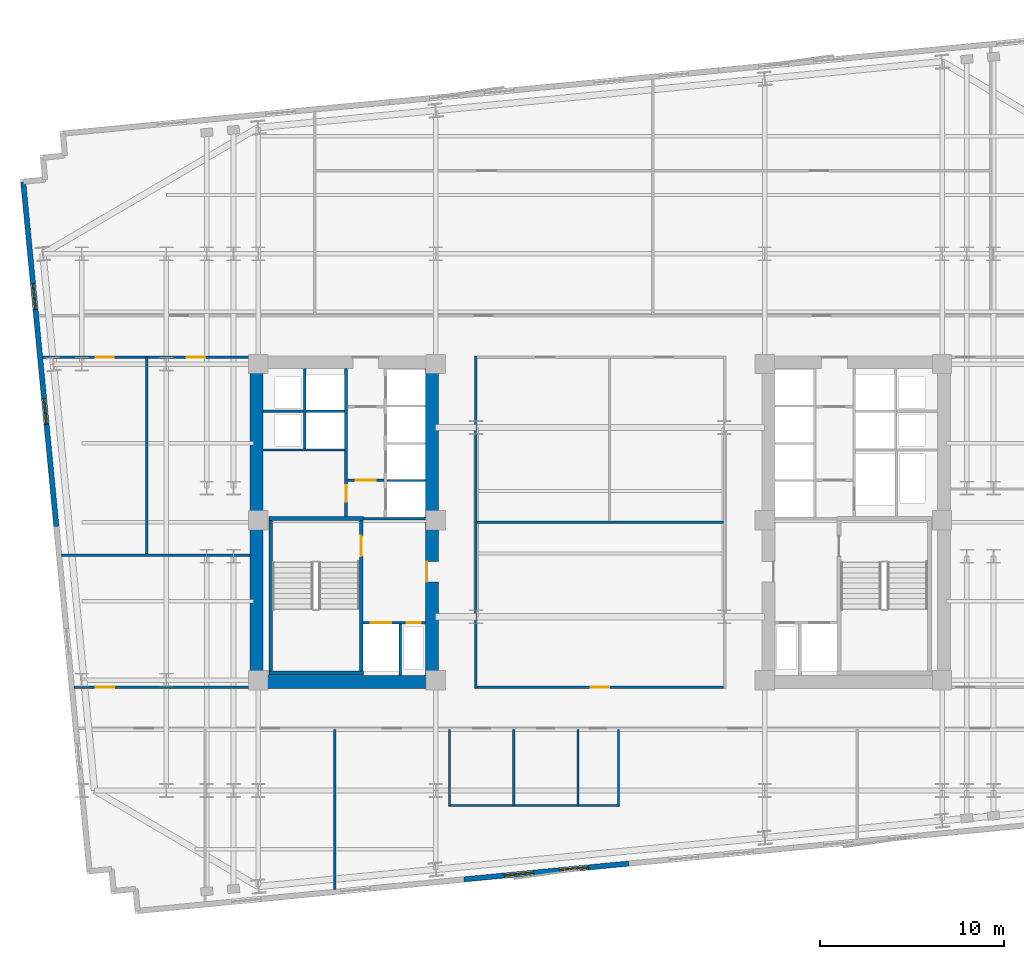
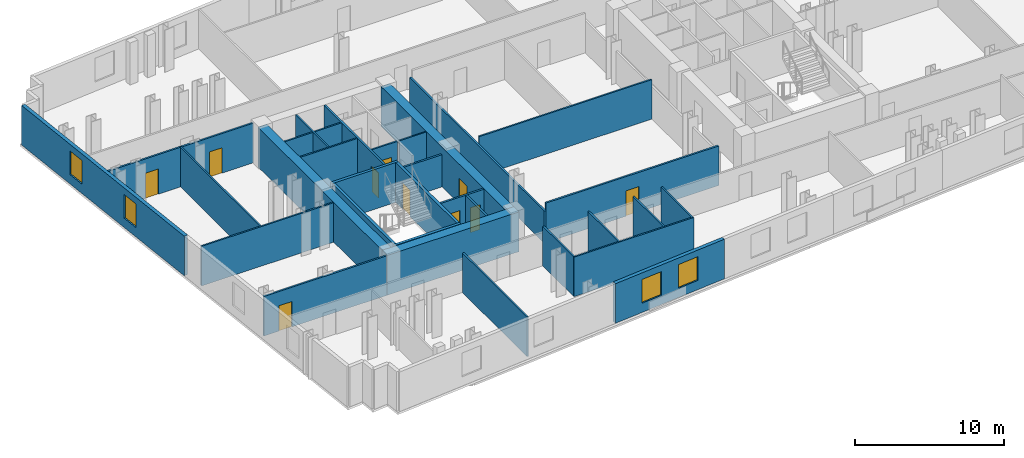
# One storey, part 4 of 10: 32 walls, 10 doors, 4 windows, 14 openings.
"""IFC4 building model written with IfcOpenShell, lengths in metres."""

from ifc_helpers import new_model, si_unit, direction, frame, frame_2d, origin, place, context, subcontext, project, spatial, rectangle, extrude, material, layer, layer_set, type_object, element, fill, save


model = new_model("IFC4")

# Units and contexts
model_context = context("Model", 3, precision=1e-05, world=origin(), true_north=direction((0.0, 1.0)))
body_context = subcontext(model_context, "Body", "Model", "MODEL_VIEW")
ifc_project = project(units=[si_unit("LENGTHUNIT", "METRE"), si_unit("AREAUNIT", "SQUARE_METRE"), si_unit("VOLUMEUNIT", "CUBIC_METRE"), si_unit("PLANEANGLEUNIT", "RADIAN"), si_unit("MASSUNIT", "GRAM", prefix="KILO")], contexts=[model_context])

# Site, building, storey
site_placement = place(None, origin())
site = spatial("IfcSite", under=ifc_project, at=site_placement, CompositionType="ELEMENT")
building_placement = place(site_placement, origin())
building = spatial("IfcBuilding", under=site, at=building_placement, Name="Velakula Bourse", CompositionType="ELEMENT")
storey_placement = place(building_placement, frame((0.0, 0.0, 98.35009765625)))
storey = spatial("IfcBuildingStorey", under=building, at=storey_placement, Name="L26", CompositionType="ELEMENT", Elevation=98.35009765625)

# Wall, opening, door
ifc_material_1 = material(Name="Concrete M50 (fck 50 MPa)", Category="concrete")
ifc_layer_1 = layer(ifc_material_1, 0.2099609375, Name="Concrete M50 (fck 50 MPa)", Category="concrete")
ifc_layer_set_1 = layer_set([ifc_layer_1], Name="Concrete M50 (fck 50 MPa)")
wall_type_1 = type_object("IfcWallType", Name="WL-CORE-210", PredefinedType="SHEAR", material=ifc_layer_set_1)
wall_1_placement = place(storey_placement, frame((-12.9951171875, -8.10009765625, 0.0), z_axis=(0.0, 0.0, 1.0), x_axis=(0.0, 1.0, 0.0)))
wall_1 = element("IfcWall", 1, at=wall_1_placement, inside=storey, type_object=wall_type_1, Name="L26 Core W Stairwell Shear Wall IN", PredefinedType="SHEAR", context=body_context, shape_type="SweptSolid", body=[
    extrude(rectangle(XDim=8.2001953125, YDim=0.2099609375, at=frame_2d((4.10009765625, 0.0))), origin(), (0.0, 0.0, 1.0), 3.27001953125),
])
opening_1_placement = place(wall_1_placement, frame((6.25, 0.0, 0.0)))
opening_1 = element("IfcOpeningElement", 2, at=opening_1_placement, cuts=wall_1, Name="Opening D-STW1", PredefinedType="OPENING", context=body_context, shape_type="SweptSolid", body=[
    extrude(rectangle(XDim=1.10009765625, YDim=2.14990234375, at=frame_2d((0.550048828125, 1.074951171875))), frame((0.0, 0.114990234375, 0.0), z_axis=(0.0, -1.0, 0.0), x_axis=(1.0, 0.0, 0.0)), (0.0, 0.0, 1.0), 0.22998046875),
])
ifc_material_2 = material(Name="Galvanised painted hollow steel fire door", Category="steel")
door_type_1 = type_object("IfcDoorType", Name="DR-FD120-1100x2150", OperationType="NOTDEFINED", PredefinedType="DOOR", material=ifc_material_2)
door_1_placement = place(opening_1_placement, origin())
door_1 = element("IfcDoor", 3, at=door_1_placement, inside=storey, type_object=door_type_1, Name="L26 Stair ST-W1 Fire Door", OperationType="SINGLE_SWING_LEFT", OverallHeight=2.14990234375, OverallWidth=1.10009765625, PredefinedType="DOOR", context=body_context, shape_type="SweptSolid", body=[
    extrude(rectangle(XDim=1.10009765625, YDim=2.14990234375, at=frame_2d((0.550048828125, 1.074951171875))), frame((0.0, 0.02490234375, 0.0), z_axis=(0.0, -1.0, 0.0), x_axis=(1.0, 0.0, 0.0)), (0.0, 0.0, 1.0), 0.050048828125),
])
fill(opening_1, door_1)

# Walls
wall_2_placement = place(storey_placement, frame((-17.925048828125, -8.10009765625, 0.0), z_axis=(0.0, 0.0, 1.0), x_axis=(0.0, 1.0, 0.0)))
element("IfcWall", 4, at=wall_2_placement, inside=storey, type_object=wall_type_1, Name="L26 Core W Stairwell Shear Wall OUT", PredefinedType="SHEAR", context=body_context, shape_type="SweptSolid", body=[
    extrude(rectangle(XDim=8.2001953125, YDim=0.2099609375, at=frame_2d((4.10009765625, 0.0))), origin(), (0.0, 0.0, 1.0), 3.27001953125),
])
for number, where, z_axis, x_axis, name in (
    (5, (-18.030029296875, -8.205078125, 0.0), (0.0, 0.0, 1.0), (1.0, 0.0, 0.0), "L26 Core W Stairwell Shear Wall S"),
    (6, (-12.889892578125, 0.205078125, 0.0), (0.0, 0.0, 1.0), (-1.0, 0.0, 0.0), "L26 Core W Stairwell Shear Wall N"),
):
    element("IfcWall", number, at=place(storey_placement, frame(where, z_axis=z_axis, x_axis=x_axis)), inside=storey, type_object=wall_type_1, Name=name, PredefinedType="SHEAR", context=body_context, shape_type="SweptSolid", body=[
        extrude(rectangle(XDim=5.14013671875, YDim=0.2099609375, at=frame_2d((2.570068359375, 0.0))), origin(), (0.0, 0.0, 1.0), 3.27001953125),
    ])
ifc_material_3 = material(Name="Concrete M70 (fck 70 MPa)", Category="concrete")
ifc_layer_2 = layer(ifc_material_3, 0.699951171875, Name="Concrete M70 (fck 70 MPa)", Category="concrete")
ifc_layer_set_2 = layer_set([ifc_layer_2], Name="Concrete M70 (fck 70 MPa)")
wall_type_2 = type_object("IfcWallType", Name="WL-CORE-700", PredefinedType="SHEAR", material=ifc_layer_set_2)
wall_3_placement = place(storey_placement, frame((-19.050048828125, -8.699951171875, 0.0), z_axis=(0.0, 0.0, 1.0), x_axis=(1.0, 0.0, 0.0)))
element("IfcWall", 7, at=wall_3_placement, inside=storey, type_object=wall_type_2, Name="L26 Core W Shear Wall S", PredefinedType="SHEAR", context=body_context, shape_type="SweptSolid", body=[
    extrude(rectangle(XDim=10.25, YDim=0.699951171875, at=frame_2d((5.125, 0.0))), origin(), (0.0, 0.0, 1.0), 3.27001953125),
])
wall_4_placement = place(storey_placement, frame((-18.699951171875, -8.35009765625, 0.0), z_axis=(0.0, 0.0, 1.0), x_axis=(0.0, 1.0, 0.0)))
element("IfcWall", 8, at=wall_4_placement, inside=storey, type_object=wall_type_2, Name="L26 Core W Shear Wall W", PredefinedType="SHEAR", context=body_context, shape_type="SweptSolid", body=[
    extrude(rectangle(XDim=16.7001953125, YDim=0.699951171875, at=frame_2d((8.35009765625, 0.0))), origin(), (0.0, 0.0, 1.0), 3.27001953125),
])

# Wall, opening, door
wall_5_placement = place(storey_placement, frame((-9.14990234375, -8.35009765625, 0.0), z_axis=(0.0, 0.0, 1.0), x_axis=(0.0, 1.0, 0.0)))
wall_5 = element("IfcWall", 9, at=wall_5_placement, inside=storey, type_object=wall_type_2, Name="L26 Core W Shear Wall E", PredefinedType="SHEAR", context=body_context, shape_type="SweptSolid", body=[
    extrude(rectangle(XDim=16.7001953125, YDim=0.699951171875, at=frame_2d((8.35009765625, 0.0))), origin(), (0.0, 0.0, 1.0), 3.27001953125),
])
opening_2_placement = place(wall_5_placement, frame((5.10009765625, 0.0, 0.0)))
opening_2 = element("IfcOpeningElement", 10, at=opening_2_placement, cuts=wall_5, Name="Opening D-FLW", PredefinedType="OPENING", context=body_context, shape_type="SweptSolid", body=[
    extrude(rectangle(XDim=1.10009765625, YDim=2.080078125, at=frame_2d((0.550048828125, 1.0400390625))), frame((0.0, 0.35986328125, 0.0), z_axis=(0.0, -1.0, 0.0), x_axis=(1.0, 0.0, 0.0)), (0.0, 0.0, 1.0), 0.719970703125),
])
door_type_2 = type_object("IfcDoorType", Name="DR-FD120-1100", OperationType="NOTDEFINED", PredefinedType="DOOR", material=ifc_material_2)
door_2_placement = place(opening_2_placement, origin())
door_2 = element("IfcDoor", 11, at=door_2_placement, inside=storey, type_object=door_type_2, Name="L26 Firefighting Lobby W Corridor Fire Door", OperationType="SINGLE_SWING_LEFT", OverallHeight=2.080078125, OverallWidth=1.10009765625, PredefinedType="DOOR", context=body_context, shape_type="SweptSolid", body=[
    extrude(rectangle(XDim=1.10009765625, YDim=2.080078125, at=frame_2d((0.550048828125, 1.0400390625))), frame((0.0, 0.30517578125, 0.0), z_axis=(0.0, -1.0, 0.0), x_axis=(1.0, 0.0, 0.0)), (0.0, 0.0, 1.0), 0.050048828125),
])
fill(opening_2, door_2)

# Wall, openings, windows
ifc_material_4 = material(Name="Red kilned clay facing brick masonry", Category="masonry")
ifc_layer_3 = layer(ifc_material_4, 0.280029296875, Name="Red kilned clay facing brick masonry", Category="masonry")
ifc_layer_set_3 = layer_set([ifc_layer_3], Name="Red kilned clay facing brick masonry")
wall_type_3 = type_object("IfcWallType", Name="WL-EXT-BRK-280", PredefinedType="STANDARD", material=ifc_layer_set_3)
wall_6_placement = place(storey_placement, frame((1.556396484375, -18.573486328125, 0.0), z_axis=(0.0, 0.0, 1.0), x_axis=(-0.995396794462, -0.09583956164, 0.0)))
wall_6 = element("IfcWall", 12, at=wall_6_placement, inside=storey, type_object=wall_type_3, Name="L26 S Brick Spandrel Wall B2", PredefinedType="STANDARD", context=body_context, shape_type="SweptSolid", body=[
    extrude(rectangle(XDim=9.0, YDim=0.280029296875, at=frame_2d((4.5, 0.0))), origin(), (0.0, 0.0, 1.0), 3.25),
])
opening_3_placement = place(wall_6_placement, frame((2.199951171875, 0.0, 0.760009765625)))
opening_3 = element("IfcOpeningElement", 13, at=opening_3_placement, cuts=wall_6, Name="Opening W-02", PredefinedType="OPENING", context=body_context, shape_type="SweptSolid", body=[
    extrude(rectangle(XDim=1.60009765625, YDim=1.949951171875, at=frame_2d((0.800048828125, 0.97509765625))), frame((0.0, 0.14990234375, 0.0), z_axis=(0.0, -1.0, 0.0), x_axis=(1.0, 0.0, 0.0)), (0.0, 0.0, 1.0), 0.300048828125),
])
opening_4_placement = place(wall_6_placement, frame((5.199951171875, 0.0, 0.760009765625)))
opening_4 = element("IfcOpeningElement", 14, at=opening_4_placement, cuts=wall_6, Name="Opening W-02", PredefinedType="OPENING", context=body_context, shape_type="SweptSolid", body=[
    extrude(rectangle(XDim=1.60009765625, YDim=1.949951171875, at=frame_2d((0.800048828125, 0.97509765625))), frame((0.0, 0.14990234375, 0.0), z_axis=(0.0, -1.0, 0.0), x_axis=(1.0, 0.0, 0.0)), (0.0, 0.0, 1.0), 0.300048828125),
])
ifc_material_5 = material(Name="Double-glazed solar-control Low-E glass", Category="glass")
window_type_1 = type_object("IfcWindowType", Name="WIN-TWR-1600x2100", PartitioningType="SINGLE_PANEL", PredefinedType="WINDOW", material=ifc_material_5)
window_1_placement = place(opening_3_placement, origin())
window_1 = element("IfcWindow", 15, at=window_1_placement, inside=storey, type_object=window_type_1, Name="L26 Deep-Set Recessed Window 1", OverallHeight=1.949951171875, OverallWidth=1.60009765625, PartitioningType="SINGLE_PANEL", PredefinedType="WINDOW", context=body_context, shape_type="SweptSolid", body=[
    extrude(rectangle(XDim=1.60009765625, YDim=1.949951171875, at=frame_2d((0.800048828125, 0.97509765625))), frame((0.0, 0.030029296875, 0.0), z_axis=(0.0, -1.0, 0.0), x_axis=(1.0, 0.0, 0.0)), (0.0, 0.0, 1.0), 0.06005859375),
])
fill(opening_3, window_1)
window_2_placement = place(opening_4_placement, origin())
window_2 = element("IfcWindow", 16, at=window_2_placement, inside=storey, type_object=window_type_1, Name="L26 Deep-Set Recessed Window 2", OverallHeight=1.949951171875, OverallWidth=1.60009765625, PartitioningType="SINGLE_PANEL", PredefinedType="WINDOW", context=body_context, shape_type="SweptSolid", body=[
    extrude(rectangle(XDim=1.60009765625, YDim=1.949951171875, at=frame_2d((0.800048828125, 0.97509765625))), frame((0.0, 0.030029296875, 0.0), z_axis=(0.0, -1.0, 0.0), x_axis=(1.0, 0.0, 0.0)), (0.0, 0.0, 1.0), 0.06005859375),
])
fill(opening_4, window_2)

wall_7_placement = place(storey_placement, frame((-29.584716796875, -0.23388671875, 0.0), z_axis=(0.0, 0.0, 1.0), x_axis=(-0.095841297881, 0.99539662729, 0.0)))
wall_7 = element("IfcWall", 17, at=wall_7_placement, inside=storey, type_object=wall_type_3, Name="L26 W Brick End Wall W2", PredefinedType="STANDARD", context=body_context, shape_type="SweptSolid", body=[
    extrude(rectangle(XDim=18.840087890625, YDim=0.280029296875, at=frame_2d((9.419921875, 0.0))), origin(), (0.0, 0.0, 1.0), 3.25),
])
opening_5_placement = place(wall_7_placement, frame((5.580078125, 0.0, 0.760009765625)))
opening_5 = element("IfcOpeningElement", 18, at=opening_5_placement, cuts=wall_7, Name="Opening W-03", PredefinedType="OPENING", context=body_context, shape_type="SweptSolid", body=[
    extrude(rectangle(XDim=1.39990234375, YDim=1.949951171875, at=frame_2d((0.699951171875, 0.97509765625))), frame((0.0, 0.14990234375, 0.0), z_axis=(0.0, -1.0, 0.0), x_axis=(1.0, 0.0, 0.0)), (0.0, 0.0, 1.0), 0.300048828125),
])
opening_6_placement = place(wall_7_placement, frame((11.860107421875, 0.0, 0.760009765625)))
opening_6 = element("IfcOpeningElement", 19, at=opening_6_placement, cuts=wall_7, Name="Opening W-03", PredefinedType="OPENING", context=body_context, shape_type="SweptSolid", body=[
    extrude(rectangle(XDim=1.39990234375, YDim=1.949951171875, at=frame_2d((0.699951171875, 0.97509765625))), frame((0.0, 0.14990234375, 0.0), z_axis=(0.0, -1.0, 0.0), x_axis=(1.0, 0.0, 0.0)), (0.0, 0.0, 1.0), 0.300048828125),
])
window_type_2 = type_object("IfcWindowType", Name="WIN-TWR-1400x2100", PartitioningType="SINGLE_PANEL", PredefinedType="WINDOW", material=ifc_material_5)
window_3_placement = place(opening_5_placement, origin())
window_3 = element("IfcWindow", 20, at=window_3_placement, inside=storey, type_object=window_type_2, Name="L26 Deep-Set Recessed Window 1", OverallHeight=1.949951171875, OverallWidth=1.39990234375, PartitioningType="SINGLE_PANEL", PredefinedType="WINDOW", context=body_context, shape_type="SweptSolid", body=[
    extrude(rectangle(XDim=1.39990234375, YDim=1.949951171875, at=frame_2d((0.699951171875, 0.97509765625))), frame((0.0, 0.030029296875, 0.0), z_axis=(0.0, -1.0, 0.0), x_axis=(1.0, 0.0, 0.0)), (0.0, 0.0, 1.0), 0.06005859375),
])
fill(opening_5, window_3)
window_4_placement = place(opening_6_placement, origin())
window_4 = element("IfcWindow", 21, at=window_4_placement, inside=storey, type_object=window_type_2, Name="L26 Deep-Set Recessed Window 2", OverallHeight=1.949951171875, OverallWidth=1.39990234375, PartitioningType="SINGLE_PANEL", PredefinedType="WINDOW", context=body_context, shape_type="SweptSolid", body=[
    extrude(rectangle(XDim=1.39990234375, YDim=1.949951171875, at=frame_2d((0.699951171875, 0.97509765625))), frame((0.0, 0.030029296875, 0.0), z_axis=(0.0, -1.0, 0.0), x_axis=(1.0, 0.0, 0.0)), (0.0, 0.0, 1.0), 0.06005859375),
])
fill(opening_6, window_4)

# Wall, opening, door
ifc_material_6 = material(Name="Fire-rated double-layer gypsum drywall partition", Category="gypsum")
ifc_layer_4 = layer(ifc_material_6, 0.1201171875, Name="Fire-rated double-layer gypsum drywall partition", Category="gypsum")
ifc_layer_set_4 = layer_set([ifc_layer_4], Name="Fire-rated double-layer gypsum drywall partition")
wall_type_4 = type_object("IfcWallType", Name="WL-PART-120", PredefinedType="STANDARD", material=ifc_layer_set_4)
wall_8_placement = place(storey_placement, frame((-13.75, 2.280029296875, 0.0), z_axis=(0.0, 0.0, 1.0), x_axis=(1.0, 0.0, 0.0)))
wall_8 = element("IfcWall", 22, at=wall_8_placement, inside=storey, type_object=wall_type_4, Name="L26 Interior Partition WL-CRW-L26-LL-K3A", PredefinedType="STANDARD", context=body_context, shape_type="SweptSolid", body=[
    extrude(rectangle(XDim=2.0, YDim=0.1201171875, at=frame_2d((1.0, 0.0))), origin(), (0.0, 0.0, 1.0), 3.25),
])
opening_7_placement = place(wall_8_placement, frame((0.449951171875, 0.0, 0.0)))
opening_7 = element("IfcOpeningElement", 23, at=opening_7_placement, cuts=wall_8, Name="Opening D-LK3", PredefinedType="OPENING", context=body_context, shape_type="SweptSolid", body=[
    extrude(rectangle(XDim=1.10009765625, YDim=2.10009765625, at=frame_2d((0.550048828125, 1.050048828125))), frame((0.0, 0.070068359375, 0.0), z_axis=(0.0, -1.0, 0.0), x_axis=(1.0, 0.0, 0.0)), (0.0, 0.0, 1.0), 0.14013671875),
])
ifc_material_7 = material(Name="Fire-rated hardwood flush architectural door", Category="wood")
door_type_3 = type_object("IfcDoorType", Name="DR-FD60-1100x2100", OperationType="NOTDEFINED", PredefinedType="DOOR", material=ifc_material_7)
door_3_placement = place(opening_7_placement, origin())
door_3 = element("IfcDoor", 24, at=door_3_placement, inside=storey, type_object=door_type_3, Name="L26 Core W Lift Lobby Vestibule Door A", OperationType="SINGLE_SWING_RIGHT", OverallHeight=2.10009765625, OverallWidth=1.10009765625, PredefinedType="DOOR", context=body_context, shape_type="SweptSolid", body=[
    extrude(rectangle(XDim=1.10009765625, YDim=2.10009765625, at=frame_2d((0.550048828125, 1.050048828125))), frame((0.0, 0.02490234375, 0.0), z_axis=(0.0, -1.0, 0.0), x_axis=(1.0, 0.0, 0.0)), (0.0, 0.0, 1.0), 0.050048828125),
])
fill(opening_7, door_3)

# Walls
wall_9_placement = place(storey_placement, frame((-11.60009765625, 2.2548828125, 0.0), z_axis=(0.0, 0.0, 1.0), x_axis=(1.0, 0.0, 0.0)))
element("IfcWall", 25, at=wall_9_placement, inside=storey, type_object=wall_type_4, Name="L26 Interior Partition WL-CRW-L26-BDIV-0", PredefinedType="STANDARD", context=body_context, shape_type="SweptSolid", body=[
    extrude(rectangle(XDim=2.10009765625, YDim=0.110107421875, at=frame_2d((1.050048828125, 0.0))), origin(), (0.0, 0.0, 1.0), 3.25),
])
wall_10_placement = place(storey_placement, frame((-18.35009765625, 3.919921875, 0.0), z_axis=(0.0, 0.0, 1.0), x_axis=(1.0, 0.0, 0.0)))
element("IfcWall", 26, at=wall_10_placement, inside=storey, type_object=wall_type_4, Name="L26 Interior Partition WL-CRW-L26-HI-S", PredefinedType="STANDARD", context=body_context, shape_type="SweptSolid", body=[
    extrude(rectangle(XDim=4.4501953125, YDim=0.1201171875, at=frame_2d((2.22509765625, 0.0))), origin(), (0.0, 0.0, 1.0), 3.25),
])
wall_11_placement = place(storey_placement, frame((-18.35009765625, 6.030029296875, 0.0), z_axis=(0.0, 0.0, 1.0), x_axis=(1.0, 0.0, 0.0)))
element("IfcWall", 27, at=wall_11_placement, inside=storey, type_object=wall_type_4, Name="L26 Interior Partition WL-CRW-L26-RIS-MID", PredefinedType="STANDARD", context=body_context, shape_type="SweptSolid", body=[
    extrude(rectangle(XDim=2.2001953125, YDim=0.1201171875, at=frame_2d((1.10009765625, 0.0))), origin(), (0.0, 0.0, 1.0), 3.25),
])
wall_12_placement = place(storey_placement, frame((-16.074951171875, 3.97998046875, 0.0), z_axis=(0.0, 0.0, 1.0), x_axis=(0.0, 1.0, 0.0)))
element("IfcWall", 28, at=wall_12_placement, inside=storey, type_object=wall_type_4, Name="L26 Interior Partition WL-CRW-L26-RIS-F", PredefinedType="STANDARD", context=body_context, shape_type="SweptSolid", body=[
    extrude(rectangle(XDim=4.3701171875, YDim=0.1201171875, at=frame_2d((2.18505859375, 0.0))), origin(), (0.0, 0.0, 1.0), 3.25),
])
wall_13_placement = place(storey_placement, frame((-16.0, 6.030029296875, 0.0), z_axis=(0.0, 0.0, 1.0), x_axis=(1.0, 0.0, 0.0)))
element("IfcWall", 29, at=wall_13_placement, inside=storey, type_object=wall_type_4, Name="L26 Interior Partition WL-CRW-L26-HI-DIV", PredefinedType="STANDARD", context=body_context, shape_type="SweptSolid", body=[
    extrude(rectangle(XDim=2.10009765625, YDim=0.1201171875, at=frame_2d((1.050048828125, 0.0))), origin(), (0.0, 0.0, 1.0), 3.25),
])
wall_14_placement = place(storey_placement, frame((-8.260009765625, -15.419921875, 0.0), z_axis=(0.0, 0.0, 1.0), x_axis=(1.0, 0.0, 0.0)))
element("IfcWall", 30, at=wall_14_placement, inside=storey, type_object=wall_type_4, Name="L26 Interior Partition WL-WC-L26-BACK", PredefinedType="STANDARD", context=body_context, shape_type="SweptSolid", body=[
    extrude(rectangle(XDim=9.320068359375, YDim=0.1201171875, at=frame_2d((4.66015625, 0.0))), origin(), (0.0, 0.0, 1.0), 3.25),
])
for number, where, z_axis, x_axis, name in (
    (31, (-8.199951171875, -15.419921875, 0.0), (0.0, 0.0, 1.0), (0.0, 1.0, 0.0), "L26 Interior Partition WL-WC-L26-V1"),
    (32, (-4.699951171875, -15.419921875, 0.0), (0.0, 0.0, 1.0), (0.0, 1.0, 0.0), "L26 Interior Partition WL-WC-L26-V2"),
    (33, (-1.199951171875, -15.419921875, 0.0), (0.0, 0.0, 1.0), (0.0, 1.0, 0.0), "L26 Interior Partition WL-WC-L26-V3"),
    (34, (1.0, -15.419921875, 0.0), (0.0, 0.0, 1.0), (0.0, 1.0, 0.0), "L26 Interior Partition WL-WC-L26-V4"),
):
    element("IfcWall", number, at=place(storey_placement, frame(where, z_axis=z_axis, x_axis=x_axis)), inside=storey, type_object=wall_type_4, Name=name, PredefinedType="STANDARD", context=body_context, shape_type="SweptSolid", body=[
        extrude(rectangle(XDim=4.1298828125, YDim=0.1201171875, at=frame_2d((2.06494140625, 0.0))), origin(), (0.0, 0.0, 1.0), 3.25),
    ])
wall_15_placement = place(storey_placement, frame((-14.443115234375, -19.993408203125, 0.0), z_axis=(0.0, 0.0, 1.0), x_axis=(0.0, 1.0, 0.0)))
element("IfcWall", 35, at=wall_15_placement, inside=storey, type_object=wall_type_4, Name="L26 Interior Partition WL-INT-L26-SL-D6", PredefinedType="STANDARD", context=body_context, shape_type="SweptSolid", body=[
    extrude(rectangle(XDim=8.703369140625, YDim=0.1201171875, at=frame_2d((4.3515625, 0.0))), origin(), (0.0, 0.0, 1.0), 3.25),
])
wall_16_placement = place(storey_placement, frame((-29.313232421875, -1.800048828125, 0.0), z_axis=(0.0, 0.0, 1.0), x_axis=(1.0, 0.0, 0.0)))
element("IfcWall", 36, at=wall_16_placement, inside=storey, type_object=wall_type_4, Name="L26 Interior Partition WL-INT-L26-W-H", PredefinedType="STANDARD", context=body_context, shape_type="SweptSolid", body=[
    extrude(rectangle(XDim=10.26318359375, YDim=0.1201171875, at=frame_2d((5.131591796875, 0.0))), origin(), (0.0, 0.0, 1.0), 3.25),
])
wall_17_placement = place(storey_placement, frame((-24.6708984375, -1.739990234375, 0.0), z_axis=(0.0, 0.0, 1.0), x_axis=(0.0, 1.0, 0.0)))
element("IfcWall", 37, at=wall_17_placement, inside=storey, type_object=wall_type_4, Name="L26 Interior Partition WL-INT-L26-W-VN", PredefinedType="STANDARD", context=body_context, shape_type="SweptSolid", body=[
    extrude(rectangle(XDim=10.719970703125, YDim=0.1201171875, at=frame_2d((5.35986328125, 0.0))), origin(), (0.0, 0.0, 1.0), 3.25),
])

# Wall, openings, doors
ifc_layer_5 = layer(ifc_material_6, 0.139892578125, Name="Fire-rated double-layer gypsum drywall partition", Category="gypsum")
ifc_layer_set_5 = layer_set([ifc_layer_5], Name="Fire-rated double-layer gypsum drywall partition")
wall_type_5 = type_object("IfcWallType", Name="WL-PART-140", PredefinedType="STANDARD", material=ifc_layer_set_5)
wall_18_placement = place(storey_placement, frame((-30.351318359375, 8.97998046875, 0.0), z_axis=(0.0, 0.0, 1.0), x_axis=(1.0, 0.0, 0.0)))
wall_18 = element("IfcWall", 38, at=wall_18_placement, inside=storey, type_object=wall_type_5, Name="L26 Interior Partition WL-INT-L26-W-NC", PredefinedType="STANDARD", context=body_context, shape_type="SweptSolid", body=[
    extrude(rectangle(XDim=11.30126953125, YDim=0.139892578125, at=frame_2d((5.650634765625, 0.0))), origin(), (0.0, 0.0, 1.0), 3.25),
])
opening_8_placement = place(wall_18_placement, frame((2.900146484375, 0.0, 0.0)))
opening_8 = element("IfcOpeningElement", 39, at=opening_8_placement, cuts=wall_18, Name="Opening D-OF1", PredefinedType="OPENING", context=body_context, shape_type="SweptSolid", body=[
    extrude(rectangle(XDim=1.0, YDim=2.080078125, at=frame_2d((0.5, 1.0400390625))), frame((0.0, 0.079833984375, 0.0), z_axis=(0.0, -1.0, 0.0), x_axis=(1.0, 0.0, 0.0)), (0.0, 0.0, 1.0), 0.159912109375),
])
opening_9_placement = place(wall_18_placement, frame((7.86083984375, 0.0, 0.0)))
opening_9 = element("IfcOpeningElement", 40, at=opening_9_placement, cuts=wall_18, Name="Opening D-OF1", PredefinedType="OPENING", context=body_context, shape_type="SweptSolid", body=[
    extrude(rectangle(XDim=1.0, YDim=2.080078125, at=frame_2d((0.5, 1.0400390625))), frame((0.0, 0.079833984375, 0.0), z_axis=(0.0, -1.0, 0.0), x_axis=(1.0, 0.0, 0.0)), (0.0, 0.0, 1.0), 0.159912109375),
])
door_type_4 = type_object("IfcDoorType", Name="DR-OFF-1000", OperationType="NOTDEFINED", PredefinedType="DOOR", material=ifc_material_7)
door_4_placement = place(opening_8_placement, origin())
door_4 = element("IfcDoor", 41, at=door_4_placement, inside=storey, type_object=door_type_4, Name="L26 Compliance Review Office Door", OperationType="SINGLE_SWING_RIGHT", OverallHeight=2.080078125, OverallWidth=1.0, PredefinedType="DOOR", context=body_context, shape_type="SweptSolid", body=[
    extrude(rectangle(XDim=1.0, YDim=2.080078125, at=frame_2d((0.5, 1.0400390625))), frame((0.0, 0.02490234375, 0.0), z_axis=(0.0, -1.0, 0.0), x_axis=(1.0, 0.0, 0.0)), (0.0, 0.0, 1.0), 0.050048828125),
])
fill(opening_8, door_4)
door_5_placement = place(opening_9_placement, origin())
door_5 = element("IfcDoor", 42, at=door_5_placement, inside=storey, type_object=door_type_4, Name="L26 Risk Review Boardroom Door", OperationType="SINGLE_SWING_LEFT", OverallHeight=2.080078125, OverallWidth=1.0, PredefinedType="DOOR", context=body_context, shape_type="SweptSolid", body=[
    extrude(rectangle(XDim=1.0, YDim=2.080078125, at=frame_2d((0.5, 1.0400390625))), frame((0.0, 0.02490234375, 0.0), z_axis=(0.0, -1.0, 0.0), x_axis=(1.0, 0.0, 0.0)), (0.0, 0.0, 1.0), 0.050048828125),
])
fill(opening_9, door_5)

# Wall, opening, door
wall_19_placement = place(storey_placement, frame((-28.6220703125, -8.97998046875, 0.0), z_axis=(0.0, 0.0, 1.0), x_axis=(1.0, 0.0, 0.0)))
wall_19 = element("IfcWall", 43, at=wall_19_placement, inside=storey, type_object=wall_type_5, Name="L26 Interior Partition WL-INT-L26-W-SC", PredefinedType="STANDARD", context=body_context, shape_type="SweptSolid", body=[
    extrude(rectangle(XDim=9.572021484375, YDim=0.139892578125, at=frame_2d((4.7861328125, 0.0))), origin(), (0.0, 0.0, 1.0), 3.25),
])
opening_10_placement = place(wall_19_placement, frame((1.177490234375, 0.0, 0.0)))
opening_10 = element("IfcOpeningElement", 44, at=opening_10_placement, cuts=wall_19, Name="Opening D-OF1", PredefinedType="OPENING", context=body_context, shape_type="SweptSolid", body=[
    extrude(rectangle(XDim=1.0, YDim=2.080078125, at=frame_2d((0.5, 1.0400390625))), frame((0.0, 0.079833984375, 0.0), z_axis=(0.0, -1.0, 0.0), x_axis=(1.0, 0.0, 0.0)), (0.0, 0.0, 1.0), 0.159912109375),
])
door_6_placement = place(opening_10_placement, origin())
door_6 = element("IfcDoor", 45, at=door_6_placement, inside=storey, type_object=door_type_4, Name="L26 Compliance Review Office Door", OperationType="SINGLE_SWING_RIGHT", OverallHeight=2.080078125, OverallWidth=1.0, PredefinedType="DOOR", context=body_context, shape_type="SweptSolid", body=[
    extrude(rectangle(XDim=1.0, YDim=2.080078125, at=frame_2d((0.5, 1.0400390625))), frame((0.0, 0.02490234375, 0.0), z_axis=(0.0, -1.0, 0.0), x_axis=(1.0, 0.0, 0.0)), (0.0, 0.0, 1.0), 0.050048828125),
])
fill(opening_10, door_6)

# Wall
wall_20_placement = place(storey_placement, frame((-6.780029296875, -9.050048828125, 0.0), z_axis=(0.0, 0.0, 1.0), x_axis=(0.0, 1.0, 0.0)))
element("IfcWall", 46, at=wall_20_placement, inside=storey, type_object=wall_type_5, Name="L26 Interior Partition WL-INT-L26-MID-W", PredefinedType="STANDARD", context=body_context, shape_type="SweptSolid", body=[
    extrude(rectangle(XDim=18.10009765625, YDim=0.139892578125, at=frame_2d((9.050048828125, 0.0))), origin(), (0.0, 0.0, 1.0), 2.64501953125),
])

# Wall, opening, door
wall_21_placement = place(storey_placement, frame((-6.7099609375, -8.97998046875, 0.0), z_axis=(0.0, 0.0, 1.0), x_axis=(1.0, 0.0, 0.0)))
wall_21 = element("IfcWall", 47, at=wall_21_placement, inside=storey, type_object=wall_type_5, Name="L26 Interior Partition WL-INT-L26-MID-S", PredefinedType="STANDARD", context=body_context, shape_type="SweptSolid", body=[
    extrude(rectangle(XDim=13.419921875, YDim=0.139892578125, at=frame_2d((6.7099609375, 0.0))), origin(), (0.0, 0.0, 1.0), 3.25),
])
opening_11_placement = place(wall_21_placement, frame((6.2099609375, 0.0, 0.0)))
opening_11 = element("IfcOpeningElement", 48, at=opening_11_placement, cuts=wall_21, Name="Opening D-OF1", PredefinedType="OPENING", context=body_context, shape_type="SweptSolid", body=[
    extrude(rectangle(XDim=1.0, YDim=2.080078125, at=frame_2d((0.5, 1.0400390625))), frame((0.0, 0.079833984375, 0.0), z_axis=(0.0, -1.0, 0.0), x_axis=(1.0, 0.0, 0.0)), (0.0, 0.0, 1.0), 0.159912109375),
])
door_7_placement = place(opening_11_placement, origin())
door_7 = element("IfcDoor", 49, at=door_7_placement, inside=storey, type_object=door_type_4, Name="L26 Central Dealing Workspace Door", OperationType="SINGLE_SWING_RIGHT", OverallHeight=2.080078125, OverallWidth=1.0, PredefinedType="DOOR", context=body_context, shape_type="SweptSolid", body=[
    extrude(rectangle(XDim=1.0, YDim=2.080078125, at=frame_2d((0.5, 1.0400390625))), frame((0.0, 0.02490234375, 0.0), z_axis=(0.0, -1.0, 0.0), x_axis=(1.0, 0.0, 0.0)), (0.0, 0.0, 1.0), 0.050048828125),
])
fill(opening_11, door_7)

# Wall
wall_22_placement = place(storey_placement, frame((-6.7099609375, 0.0, 0.0), z_axis=(0.0, 0.0, 1.0), x_axis=(1.0, 0.0, 0.0)))
element("IfcWall", 50, at=wall_22_placement, inside=storey, type_object=wall_type_5, Name="L26 Interior Partition WL-INT-L26-MD3H", PredefinedType="STANDARD", context=body_context, shape_type="SweptSolid", body=[
    extrude(rectangle(XDim=13.419921875, YDim=0.1201171875, at=frame_2d((6.7099609375, 0.0))), origin(), (0.0, 0.0, 1.0), 3.25),
])

# Wall, openings, doors
ifc_material_8 = material(Name="Autoclaved aerated concrete blockwork masonry", Category="masonry")
ifc_layer_6 = layer(ifc_material_8, 0.14990234375, Name="Autoclaved aerated concrete blockwork masonry", Category="masonry")
ifc_layer_set_6 = layer_set([ifc_layer_6], Name="Autoclaved aerated concrete blockwork masonry")
wall_type_6 = type_object("IfcWallType", Name="WL-SHAFT-150", PredefinedType="STANDARD", material=ifc_layer_set_6)
wall_23_placement = place(storey_placement, frame((-12.89501953125, -5.47509765625, 0.0), z_axis=(0.0, 0.0, 1.0), x_axis=(1.0, 0.0, 0.0)))
wall_23 = element("IfcWall", 51, at=wall_23_placement, inside=storey, type_object=wall_type_6, Name="L26 Interior Partition WL-CRW-L26-FFL-N", PredefinedType="STANDARD", context=body_context, shape_type="SweptSolid", body=[
    extrude(rectangle(XDim=3.39501953125, YDim=0.14990234375, at=frame_2d((1.697509765625, 0.0))), origin(), (0.0, 0.0, 1.0), 3.25),
])
opening_12_placement = place(wall_23_placement, frame((0.419921875, 0.0, 0.0)))
opening_12 = element("IfcOpeningElement", 52, at=opening_12_placement, cuts=wall_23, Name="Opening LD-FFL-1", PredefinedType="OPENING", context=body_context, shape_type="SweptSolid", body=[
    extrude(rectangle(XDim=1.10009765625, YDim=2.14990234375, at=frame_2d((0.550048828125, 1.074951171875))), frame((0.0, 0.0849609375, 0.0), z_axis=(0.0, -1.0, 0.0), x_axis=(1.0, 0.0, 0.0)), (0.0, 0.0, 1.0), 0.169921875),
])
opening_13_placement = place(wall_23_placement, frame((2.3701171875, 0.0, 0.0)))
opening_13 = element("IfcOpeningElement", 53, at=opening_13_placement, cuts=wall_23, Name="Opening D-RS1", PredefinedType="OPENING", context=body_context, shape_type="SweptSolid", body=[
    extrude(rectangle(XDim=0.75, YDim=2.050048828125, at=frame_2d((0.375, 1.02490234375))), frame((0.0, 0.0849609375, 0.0), z_axis=(0.0, -1.0, 0.0), x_axis=(1.0, 0.0, 0.0)), (0.0, 0.0, 1.0), 0.169921875),
])
door_type_5 = type_object("IfcDoorType", Name="DR-RISER-800", OperationType="NOTDEFINED", PredefinedType="DOOR", material=ifc_material_2)
door_8_placement = place(opening_13_placement, origin())
door_8 = element("IfcDoor", 54, at=door_8_placement, inside=storey, type_object=door_type_5, Name="L26 Fire Riser Access Door", OperationType="SINGLE_SWING_LEFT", OverallHeight=2.050048828125, OverallWidth=0.75, PredefinedType="DOOR", context=body_context, shape_type="SweptSolid", body=[
    extrude(rectangle(XDim=0.75, YDim=2.050048828125, at=frame_2d((0.375, 1.02490234375))), frame((0.0, 0.02490234375, 0.0), z_axis=(0.0, -1.0, 0.0), x_axis=(1.0, 0.0, 0.0)), (0.0, 0.0, 1.0), 0.050048828125),
])
fill(opening_13, door_8)
ifc_material_9 = material(Name="Brushed grade 316 stainless steel", Category="steel")
door_type_6 = type_object("IfcDoorType", Name="DR-SLIDE-FFL-1100", OperationType="DOUBLE_DOOR_SLIDING", PredefinedType="DOOR", material=ifc_material_9)
door_9_placement = place(opening_12_placement, origin())
door_9 = element("IfcDoor", 55, at=door_9_placement, inside=storey, type_object=door_type_6, Name="L26 Firefighting Lift FFL-1 Sliding Landing Door", OperationType="DOUBLE_DOOR_SLIDING", OverallHeight=2.14990234375, OverallWidth=1.10009765625, PredefinedType="DOOR", context=body_context, shape_type="SweptSolid", body=[
    extrude(rectangle(XDim=1.10009765625, YDim=2.14990234375, at=frame_2d((0.550048828125, 1.074951171875))), frame((0.0, 0.02490234375, 0.0), z_axis=(0.0, -1.0, 0.0), x_axis=(1.0, 0.0, 0.0)), (0.0, 0.0, 1.0), 0.050048828125),
])
fill(opening_12, door_9)

# Walls
wall_24_placement = place(storey_placement, frame((-10.875, -8.35009765625, 0.0), z_axis=(0.0, 0.0, 1.0), x_axis=(0.0, 1.0, 0.0)))
element("IfcWall", 56, at=wall_24_placement, inside=storey, type_object=wall_type_6, Name="L26 Interior Partition WL-CRW-L26-FR-DIV", PredefinedType="STANDARD", context=body_context, shape_type="SweptSolid", body=[
    extrude(rectangle(XDim=2.800048828125, YDim=0.14990234375, at=frame_2d((1.39990234375, 0.0))), origin(), (0.0, 0.0, 1.0), 3.25),
])
wall_25_placement = place(storey_placement, frame((-12.889892578125, 0.18994140625, 0.0), z_axis=(0.0, 0.0, 1.0), x_axis=(1.0, 0.0, 0.0)))
element("IfcWall", 57, at=wall_25_placement, inside=storey, type_object=wall_type_6, Name="L26 Interior Partition WL-CRW-L26-FF-TOP", PredefinedType="STANDARD", context=body_context, shape_type="SweptSolid", body=[
    extrude(rectangle(XDim=3.389892578125, YDim=0.14990234375, at=frame_2d((1.69482421875, 0.0))), origin(), (0.0, 0.0, 1.0), 2.64501953125),
])

# Wall, opening, door
wall_26_placement = place(storey_placement, frame((-13.824951171875, 0.27001953125, 0.0), z_axis=(0.0, 0.0, 1.0), x_axis=(0.0, 1.0, 0.0)))
wall_26 = element("IfcWall", 58, at=wall_26_placement, inside=storey, type_object=wall_type_6, Name="L26 Interior Partition WL-CRW-L26-OUT-F", PredefinedType="STANDARD", context=body_context, shape_type="SweptSolid", body=[
    extrude(rectangle(XDim=8.080078125, YDim=0.14990234375, at=frame_2d((4.0400390625, 0.0))), origin(), (0.0, 0.0, 1.0), 3.25),
])
opening_14_placement = place(wall_26_placement, frame((0.85009765625, 0.0, 0.0)))
opening_14 = element("IfcOpeningElement", 59, at=opening_14_placement, cuts=wall_26, Name="Opening D-CR3", PredefinedType="OPENING", context=body_context, shape_type="SweptSolid", body=[
    extrude(rectangle(XDim=0.89990234375, YDim=2.050048828125, at=frame_2d((0.449951171875, 1.02490234375))), frame((0.0, 0.0849609375, 0.0), z_axis=(0.0, -1.0, 0.0), x_axis=(1.0, 0.0, 0.0)), (0.0, 0.0, 1.0), 0.169921875),
])
door_type_7 = type_object("IfcDoorType", Name="DR-INT-900", OperationType="NOTDEFINED", PredefinedType="DOOR", material=ifc_material_7)
door_10_placement = place(opening_14_placement, origin())
door_10 = element("IfcDoor", 60, at=door_10_placement, inside=storey, type_object=door_type_7, Name="L26 Core Stationery and Mail Room Door", OperationType="SINGLE_SWING_RIGHT", OverallHeight=2.050048828125, OverallWidth=0.89990234375, PredefinedType="DOOR", context=body_context, shape_type="SweptSolid", body=[
    extrude(rectangle(XDim=0.89990234375, YDim=2.050048828125, at=frame_2d((0.449951171875, 1.02490234375))), frame((0.0, 0.02490234375, 0.0), z_axis=(0.0, -1.0, 0.0), x_axis=(1.0, 0.0, 0.0)), (0.0, 0.0, 1.0), 0.050048828125),
])
fill(opening_14, door_10)

save(model, "model.ifc")
